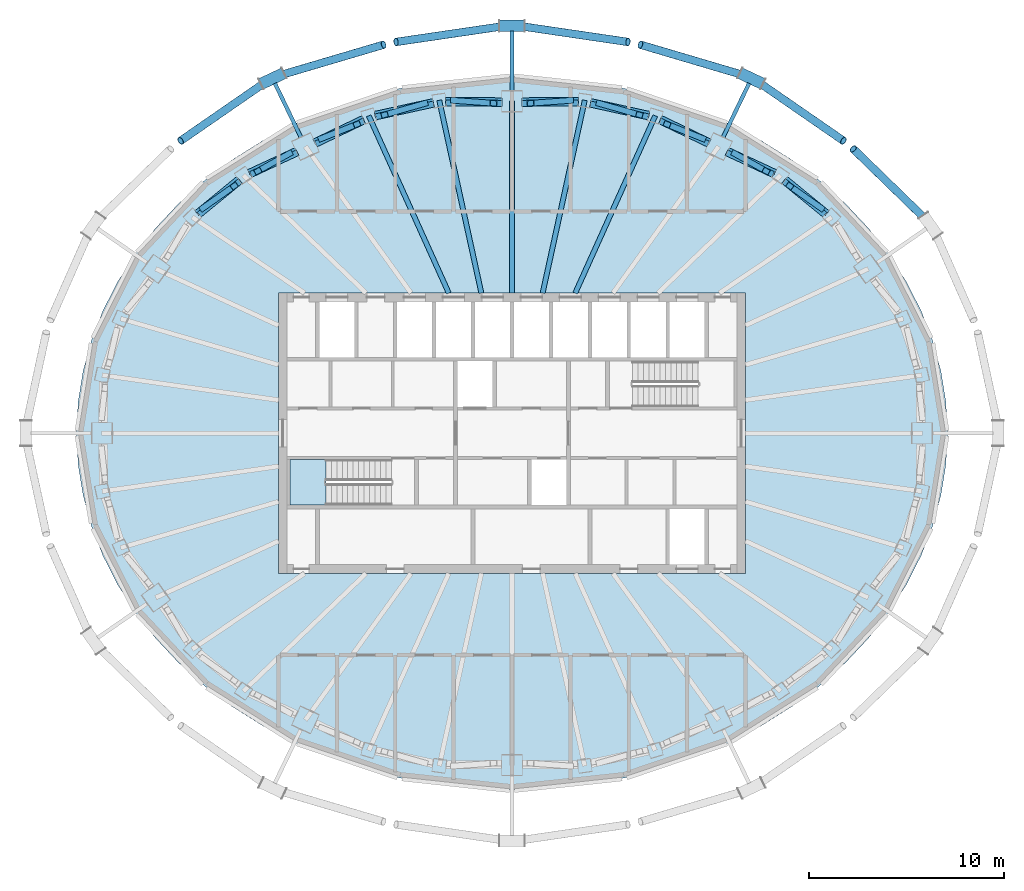
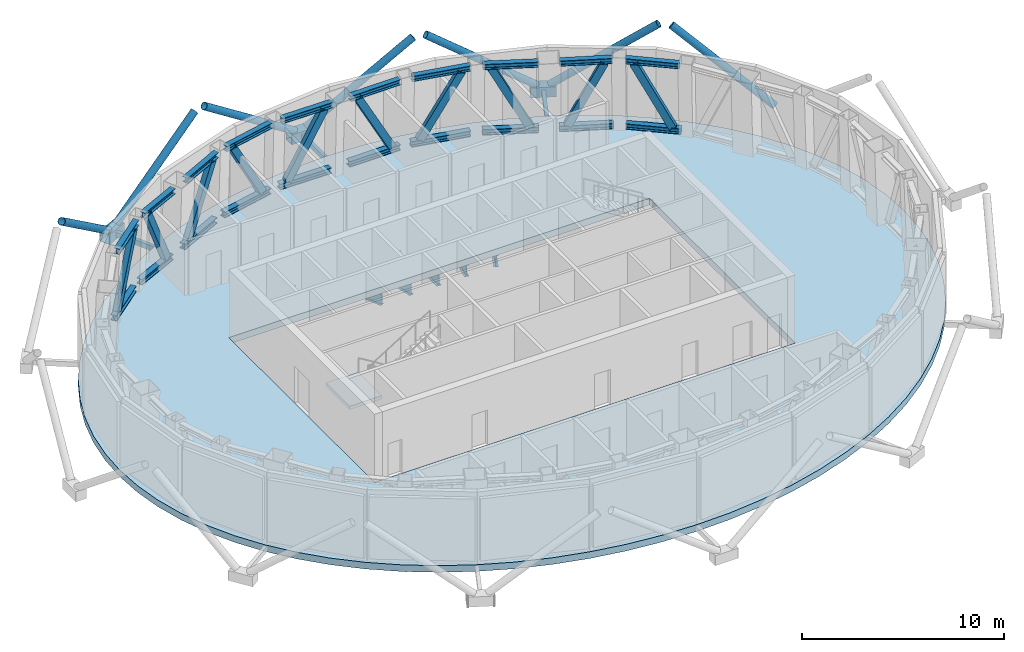
# One storey, part 4 of 15: 25 beams, 23 members, 2 slabs, 1 element without a shape of its own.
"""IFC4 building model written with IfcOpenShell, lengths in metres."""

from ifc_helpers import new_model, si_unit, direction, frame, origin, origin_2d, place, context, subcontext, project, spatial, polyline, hollow_rectangle, hollow_circle, i_section, outline, extrude, material, layer, layer_set, material_profile, profile_set, type_object, element, aggregate, save


model = new_model("IFC4")

# Units and contexts
model_context = context("Model", 3, precision=1e-05, world=origin(), true_north=direction((0.0, 1.0)))
body_context = subcontext(model_context, "Body", "Model", "MODEL_VIEW")
ifc_project = project(units=[si_unit("LENGTHUNIT", "METRE"), si_unit("AREAUNIT", "SQUARE_METRE"), si_unit("VOLUMEUNIT", "CUBIC_METRE"), si_unit("PLANEANGLEUNIT", "RADIAN"), si_unit("MASSUNIT", "GRAM", prefix="KILO")], contexts=[model_context])

# Site, building, storey
site_placement = place(None, origin())
site = spatial("IfcSite", under=ifc_project, at=site_placement, CompositionType="ELEMENT")
building_placement = place(site_placement, origin())
building = spatial("IfcBuilding", under=site, at=building_placement, Name="Siaravel Broadcast Tower", CompositionType="ELEMENT")
storey_placement = place(building_placement, frame((0.0, 0.0, 212.60009765625)))
storey = spatial("IfcBuildingStorey", under=building, at=storey_placement, Name="L51", CompositionType="ELEMENT", Elevation=212.60009765625)

# Beams
ifc_material_1 = material(Name="Steel S355", Category="steel")
ifc_material_profile_1 = material_profile(ifc_material_1, i_section(OverallWidth=0.2529296875, OverallDepth=0.677978515625, WebThickness=0.01171875, FlangeThickness=0.01611328125, FilletRadius=0.01513671875, at=origin_2d()))
ifc_profile_set_1 = profile_set([ifc_material_profile_1], Name="Steel S355")
beam_type_1 = type_object("IfcBeamType", Name="BM-UB 686x254x125", PredefinedType="BEAM", material=ifc_profile_set_1)
beam_1_placement = place(storey_placement, frame((7.35888671875, 16.30859375, -0.739013671875), z_axis=(-0.411298026, -0.911500924, 0.0), x_axis=(0.911500924, -0.411298026, 0.0)))
element("IfcBeam", 1, at=beam_1_placement, inside=storey, type_object=beam_type_1, Name="Radial beam RB08", PredefinedType="BEAM", context=body_context, shape_type="SweptSolid", body=[
    extrude(i_section(OverallWidth=0.2529296875, OverallDepth=0.677978515625, WebThickness=0.01171875, FlangeThickness=0.01611328125, FilletRadius=0.01513671875, at=origin_2d()), origin(), (0.0, 0.0, 1.0), 9.992919921875),
])
beam_2_placement = place(storey_placement, frame((3.73779296875, 17.103515625, -0.739013671875), z_axis=(-0.213499359, -0.976943204, 0.0), x_axis=(0.976943204, -0.213499359, 0.0)))
element("IfcBeam", 2, at=beam_2_placement, inside=storey, type_object=beam_type_1, Name="Radial beam RB09", PredefinedType="BEAM", context=body_context, shape_type="SweptSolid", body=[
    extrude(i_section(OverallWidth=0.2529296875, OverallDepth=0.677978515625, WebThickness=0.01171875, FlangeThickness=0.01611328125, FilletRadius=0.01513671875, at=origin_2d()), origin(), (0.0, 0.0, 1.0), 10.13720703125),
])
beam_3_placement = place(storey_placement, frame((0.0, 17.0712890625, -0.739013671875), z_axis=(0.0, -1.0, 0.0), x_axis=(1.0, 0.0, 0.0)))
element("IfcBeam", 3, at=beam_3_placement, inside=storey, type_object=beam_type_1, Name="Radial beam RB10", PredefinedType="BEAM", context=body_context, shape_type="SweptSolid", body=[
    extrude(i_section(OverallWidth=0.2529296875, OverallDepth=0.677978515625, WebThickness=0.01171875, FlangeThickness=0.01611328125, FilletRadius=0.01513671875, at=origin_2d()), origin(), (0.0, 0.0, 1.0), 9.871337890625),
])
beam_4_placement = place(storey_placement, frame((-3.73779296875, 17.103515625, -0.739013671875), z_axis=(0.213499359, -0.976943204, 0.0), x_axis=(0.976943204, 0.213499359, 0.0)))
element("IfcBeam", 4, at=beam_4_placement, inside=storey, type_object=beam_type_1, Name="Radial beam RB11", PredefinedType="BEAM", context=body_context, shape_type="SweptSolid", body=[
    extrude(i_section(OverallWidth=0.2529296875, OverallDepth=0.677978515625, WebThickness=0.01171875, FlangeThickness=0.01611328125, FilletRadius=0.01513671875, at=origin_2d()), origin(), (0.0, 0.0, 1.0), 10.13720703125),
])
beam_5_placement = place(storey_placement, frame((-7.35888671875, 16.30859375, -0.739013671875), z_axis=(0.411298026, -0.911500924, 0.0), x_axis=(0.911500924, 0.411298026, 0.0)))
element("IfcBeam", 5, at=beam_5_placement, inside=storey, type_object=beam_type_1, Name="Radial beam RB12", PredefinedType="BEAM", context=body_context, shape_type="SweptSolid", body=[
    extrude(i_section(OverallWidth=0.2529296875, OverallDepth=0.677978515625, WebThickness=0.01171875, FlangeThickness=0.01611328125, FilletRadius=0.01513671875, at=origin_2d()), origin(), (0.0, 0.0, 1.0), 9.992919921875),
])
ifc_material_2 = material(Name="Steel S460", Category="steel")
ifc_material_profile_2 = material_profile(ifc_material_2, i_section(OverallWidth=0.311279296875, OverallDepth=0.3271484375, WebThickness=0.015869140625, FlangeThickness=0.02490234375, FilletRadius=0.01513671875, at=origin_2d()))
ifc_profile_set_2 = profile_set([ifc_material_profile_2], Name="Steel S460")
beam_type_2 = type_object("IfcBeamType", Name="Belt truss chord UC 305x305x158", PredefinedType="BEAM", material=ifc_profile_set_2)
beam_6_placement = place(storey_placement, frame((16.1875, 11.310546875, 0.163330078125), z_axis=(-0.773621896, 0.633647506, 0.0), x_axis=(-0.633647506, -0.773621896, 0.0)))
element("IfcBeam", 6, at=beam_6_placement, inside=storey, type_object=beam_type_2, Name="Belt truss 3 bottom chord 05", PredefinedType="BEAM", context=body_context, shape_type="SweptSolid", body=[
    extrude(i_section(OverallWidth=0.311279296875, OverallDepth=0.3271484375, WebThickness=0.015869140625, FlangeThickness=0.02490234375, FilletRadius=0.01513671875, at=origin_2d()), origin(), (0.0, 0.0, 1.0), 2.757568359375),
])
beam_7_placement = place(storey_placement, frame((16.068115234375, 11.228515625, 4.1865234375), z_axis=(-0.773590966, 0.633685267, 0.0), x_axis=(-0.633685267, -0.773590966, 0.0)))
element("IfcBeam", 7, at=beam_7_placement, inside=storey, type_object=beam_type_2, Name="Belt truss 3 top chord 05", PredefinedType="BEAM", context=body_context, shape_type="SweptSolid", body=[
    extrude(i_section(OverallWidth=0.311279296875, OverallDepth=0.3271484375, WebThickness=0.015869140625, FlangeThickness=0.02490234375, FilletRadius=0.01513671875, at=origin_2d()), origin(), (0.0, 0.0, 1.0), 2.732666015625),
])
beam_8_placement = place(storey_placement, frame((13.516357421875, 13.395751953125, 0.163330078125), z_axis=(-0.906695926, 0.421784896, 0.0), x_axis=(-0.421784896, -0.906695926, 0.0)))
element("IfcBeam", 8, at=beam_8_placement, inside=storey, type_object=beam_type_2, Name="Belt truss 3 bottom chord 06", PredefinedType="BEAM", context=body_context, shape_type="SweptSolid", body=[
    extrude(i_section(OverallWidth=0.311279296875, OverallDepth=0.3271484375, WebThickness=0.015869140625, FlangeThickness=0.02490234375, FilletRadius=0.01513671875, at=origin_2d()), origin(), (0.0, 0.0, 1.0), 2.67236328125),
])
beam_9_placement = place(storey_placement, frame((13.416259765625, 13.297607421875, 4.1865234375), z_axis=(-0.906966188, 0.421203435, 0.0), x_axis=(-0.421203435, -0.906966188, 0.0)))
element("IfcBeam", 9, at=beam_9_placement, inside=storey, type_object=beam_type_2, Name="Belt truss 3 top chord 06", PredefinedType="BEAM", context=body_context, shape_type="SweptSolid", body=[
    extrude(i_section(OverallWidth=0.311279296875, OverallDepth=0.3271484375, WebThickness=0.015869140625, FlangeThickness=0.02490234375, FilletRadius=0.01513671875, at=origin_2d()), origin(), (0.0, 0.0, 1.0), 2.647216796875),
])
beam_10_placement = place(storey_placement, frame((10.15283203125, 14.96728515625, 0.163330078125), z_axis=(-0.901497012, 0.432785324, 0.0), x_axis=(-0.432785324, -0.901497012, 0.0)))
element("IfcBeam", 10, at=beam_10_placement, inside=storey, type_object=beam_type_2, Name="Belt truss 3 bottom chord 07", PredefinedType="BEAM", context=body_context, shape_type="SweptSolid", body=[
    extrude(i_section(OverallWidth=0.311279296875, OverallDepth=0.3271484375, WebThickness=0.015869140625, FlangeThickness=0.02490234375, FilletRadius=0.01513671875, at=origin_2d()), origin(), (0.0, 0.0, 1.0), 2.779296875),
])
beam_11_placement = place(storey_placement, frame((10.0751953125, 14.857177734375, 4.1865234375), z_axis=(-0.901254422, 0.433290279, 0.0), x_axis=(-0.433290279, -0.901254422, 0.0)))
element("IfcBeam", 11, at=beam_11_placement, inside=storey, type_object=beam_type_2, Name="Belt truss 3 top chord 07", PredefinedType="BEAM", context=body_context, shape_type="SweptSolid", body=[
    extrude(i_section(OverallWidth=0.311279296875, OverallDepth=0.3271484375, WebThickness=0.015869140625, FlangeThickness=0.02490234375, FilletRadius=0.01513671875, at=origin_2d()), origin(), (0.0, 0.0, 1.0), 2.753173828125),
])
beam_12_placement = place(storey_placement, frame((7.046142578125, 16.377197265625, 0.163330078125), z_axis=(-0.976734584, 0.21445175, 0.0), x_axis=(-0.21445175, -0.976734584, 0.0)))
element("IfcBeam", 12, at=beam_12_placement, inside=storey, type_object=beam_type_2, Name="Belt truss 3 bottom chord 08", PredefinedType="BEAM", context=body_context, shape_type="SweptSolid", body=[
    extrude(i_section(OverallWidth=0.311279296875, OverallDepth=0.3271484375, WebThickness=0.015869140625, FlangeThickness=0.02490234375, FilletRadius=0.01513671875, at=origin_2d()), origin(), (0.0, 0.0, 1.0), 3.06689453125),
])
beam_13_placement = place(storey_placement, frame((6.992919921875, 16.25732421875, 4.1865234375), z_axis=(-0.976743113, 0.214412901, 0.0), x_axis=(-0.214412901, -0.976743113, 0.0)))
element("IfcBeam", 13, at=beam_13_placement, inside=storey, type_object=beam_type_2, Name="Belt truss 3 top chord 08", PredefinedType="BEAM", context=body_context, shape_type="SweptSolid", body=[
    extrude(i_section(OverallWidth=0.311279296875, OverallDepth=0.3271484375, WebThickness=0.015869140625, FlangeThickness=0.02490234375, FilletRadius=0.01513671875, at=origin_2d()), origin(), (0.0, 0.0, 1.0), 3.040283203125),
])
beam_14_placement = place(storey_placement, frame((3.41796875, 17.1005859375, 0.163330078125), z_axis=(-0.999963081, -0.008592775, 0.0), x_axis=(0.008592775, -0.999963081, 0.0)))
element("IfcBeam", 14, at=beam_14_placement, inside=storey, type_object=beam_type_2, Name="Belt truss 3 bottom chord 09", PredefinedType="BEAM", context=body_context, shape_type="SweptSolid", body=[
    extrude(i_section(OverallWidth=0.311279296875, OverallDepth=0.3271484375, WebThickness=0.015869140625, FlangeThickness=0.02490234375, FilletRadius=0.01513671875, at=origin_2d()), origin(), (0.0, 0.0, 1.0), 2.89794921875),
])
beam_15_placement = place(storey_placement, frame((3.390869140625, 16.974853515625, 4.1865234375), z_axis=(-0.999957826, -0.009184067, 0.0), x_axis=(0.009184067, -0.999957826, 0.0)))
element("IfcBeam", 15, at=beam_15_placement, inside=storey, type_object=beam_type_2, Name="Belt truss 3 top chord 09", PredefinedType="BEAM", context=body_context, shape_type="SweptSolid", body=[
    extrude(i_section(OverallWidth=0.311279296875, OverallDepth=0.3271484375, WebThickness=0.015869140625, FlangeThickness=0.02490234375, FilletRadius=0.01513671875, at=origin_2d()), origin(), (0.0, 0.0, 1.0), 2.870849609375),
])
beam_16_placement = place(storey_placement, frame((-0.52001953125, 17.07568359375, 0.163330078125), z_axis=(-0.999963081, 0.008592775, 0.0), x_axis=(-0.008592775, -0.999963081, 0.0)))
element("IfcBeam", 16, at=beam_16_placement, inside=storey, type_object=beam_type_2, Name="Belt truss 3 bottom chord 10", PredefinedType="BEAM", context=body_context, shape_type="SweptSolid", body=[
    extrude(i_section(OverallWidth=0.311279296875, OverallDepth=0.3271484375, WebThickness=0.015869140625, FlangeThickness=0.02490234375, FilletRadius=0.01513671875, at=origin_2d()), origin(), (0.0, 0.0, 1.0), 2.89794921875),
])
beam_17_placement = place(storey_placement, frame((-0.52001953125, 16.948486328125, 4.1865234375), z_axis=(-0.999957826, 0.009184067, 0.0), x_axis=(-0.009184067, -0.999957826, 0.0)))
element("IfcBeam", 17, at=beam_17_placement, inside=storey, type_object=beam_type_2, Name="Belt truss 3 top chord 10", PredefinedType="BEAM", context=body_context, shape_type="SweptSolid", body=[
    extrude(i_section(OverallWidth=0.311279296875, OverallDepth=0.3271484375, WebThickness=0.015869140625, FlangeThickness=0.02490234375, FilletRadius=0.01513671875, at=origin_2d()), origin(), (0.0, 0.0, 1.0), 2.870849609375),
])
beam_18_placement = place(storey_placement, frame((-4.050537109375, 17.034912109375, 0.163330078125), z_axis=(-0.976734584, -0.21445175, 0.0), x_axis=(0.21445175, -0.976734584, 0.0)))
element("IfcBeam", 18, at=beam_18_placement, inside=storey, type_object=beam_type_2, Name="Belt truss 3 bottom chord 11", PredefinedType="BEAM", context=body_context, shape_type="SweptSolid", body=[
    extrude(i_section(OverallWidth=0.311279296875, OverallDepth=0.3271484375, WebThickness=0.015869140625, FlangeThickness=0.02490234375, FilletRadius=0.01513671875, at=origin_2d()), origin(), (0.0, 0.0, 1.0), 3.06689453125),
])
beam_19_placement = place(storey_placement, frame((-4.0234375, 16.9091796875, 4.1865234375), z_axis=(-0.976743113, -0.214412901, 0.0), x_axis=(0.214412901, -0.976743113, 0.0)))
element("IfcBeam", 19, at=beam_19_placement, inside=storey, type_object=beam_type_2, Name="Belt truss 3 top chord 11", PredefinedType="BEAM", context=body_context, shape_type="SweptSolid", body=[
    extrude(i_section(OverallWidth=0.311279296875, OverallDepth=0.3271484375, WebThickness=0.015869140625, FlangeThickness=0.02490234375, FilletRadius=0.01513671875, at=origin_2d()), origin(), (0.0, 0.0, 1.0), 3.040283203125),
])
beam_20_placement = place(storey_placement, frame((-7.647216796875, 16.170166015625, 0.163330078125), z_axis=(-0.901497012, -0.432785324, 0.0), x_axis=(0.432785324, -0.901497012, 0.0)))
element("IfcBeam", 20, at=beam_20_placement, inside=storey, type_object=beam_type_2, Name="Belt truss 3 bottom chord 12", PredefinedType="BEAM", context=body_context, shape_type="SweptSolid", body=[
    extrude(i_section(OverallWidth=0.311279296875, OverallDepth=0.3271484375, WebThickness=0.015869140625, FlangeThickness=0.02490234375, FilletRadius=0.01513671875, at=origin_2d()), origin(), (0.0, 0.0, 1.0), 2.779296875),
])
beam_21_placement = place(storey_placement, frame((-7.593994140625, 16.050048828125, 4.1865234375), z_axis=(-0.901254422, -0.433290279, 0.0), x_axis=(0.433290279, -0.901254422, 0.0)))
element("IfcBeam", 21, at=beam_21_placement, inside=storey, type_object=beam_type_2, Name="Belt truss 3 top chord 12", PredefinedType="BEAM", context=body_context, shape_type="SweptSolid", body=[
    extrude(i_section(OverallWidth=0.311279296875, OverallDepth=0.3271484375, WebThickness=0.015869140625, FlangeThickness=0.02490234375, FilletRadius=0.01513671875, at=origin_2d()), origin(), (0.0, 0.0, 1.0), 2.753173828125),
])
beam_22_placement = place(storey_placement, frame((-11.09326171875, 14.52294921875, 0.163330078125), z_axis=(-0.906695926, -0.421784896, 0.0), x_axis=(0.421784896, -0.906695926, 0.0)))
element("IfcBeam", 22, at=beam_22_placement, inside=storey, type_object=beam_type_2, Name="Belt truss 3 bottom chord 13", PredefinedType="BEAM", context=body_context, shape_type="SweptSolid", body=[
    extrude(i_section(OverallWidth=0.311279296875, OverallDepth=0.3271484375, WebThickness=0.015869140625, FlangeThickness=0.02490234375, FilletRadius=0.01513671875, at=origin_2d()), origin(), (0.0, 0.0, 1.0), 2.67236328125),
])
beam_23_placement = place(storey_placement, frame((-11.015380859375, 14.41259765625, 4.1865234375), z_axis=(-0.906966188, -0.421203435, 0.0), x_axis=(0.421203435, -0.906966188, 0.0)))
element("IfcBeam", 23, at=beam_23_placement, inside=storey, type_object=beam_type_2, Name="Belt truss 3 top chord 13", PredefinedType="BEAM", context=body_context, shape_type="SweptSolid", body=[
    extrude(i_section(OverallWidth=0.311279296875, OverallDepth=0.3271484375, WebThickness=0.015869140625, FlangeThickness=0.02490234375, FilletRadius=0.01513671875, at=origin_2d()), origin(), (0.0, 0.0, 1.0), 2.647216796875),
])
beam_24_placement = place(storey_placement, frame((-14.05419921875, 13.057861328125, 0.163330078125), z_axis=(-0.773621896, -0.633647506, 0.0), x_axis=(0.633647506, -0.773621896, 0.0)))
element("IfcBeam", 24, at=beam_24_placement, inside=storey, type_object=beam_type_2, Name="Belt truss 3 bottom chord 14", PredefinedType="BEAM", context=body_context, shape_type="SweptSolid", body=[
    extrude(i_section(OverallWidth=0.311279296875, OverallDepth=0.3271484375, WebThickness=0.015869140625, FlangeThickness=0.02490234375, FilletRadius=0.01513671875, at=origin_2d()), origin(), (0.0, 0.0, 1.0), 2.757568359375),
])
beam_25_placement = place(storey_placement, frame((-13.9541015625, 12.960205078125, 4.1865234375), z_axis=(-0.773590966, -0.633685267, 0.0), x_axis=(0.633685267, -0.773590966, 0.0)))
element("IfcBeam", 25, at=beam_25_placement, inside=storey, type_object=beam_type_2, Name="Belt truss 3 top chord 14", PredefinedType="BEAM", context=body_context, shape_type="SweptSolid", body=[
    extrude(i_section(OverallWidth=0.311279296875, OverallDepth=0.3271484375, WebThickness=0.015869140625, FlangeThickness=0.02490234375, FilletRadius=0.01513671875, at=origin_2d()), origin(), (0.0, 0.0, 1.0), 2.732666015625),
])

# Members
ifc_material_profile_3 = material_profile(ifc_material_2, hollow_rectangle(XDim=0.300048828125, YDim=0.39990234375, WallThickness=0.01611328125, at=origin_2d()))
ifc_profile_set_3 = profile_set([ifc_material_profile_3], Name="Steel S460")
member_type_1 = type_object("IfcMemberType", Name="Belt truss web RHS 400x300x16", PredefinedType="BRACE", material=ifc_profile_set_3)
member_1_placement = place(storey_placement, frame((15.867431640625, 11.57275390625, 0.297119140625), z_axis=(-0.377070618, 0.266354058, 0.887058772), x_axis=(-0.576952888, -0.816777427, 0.0)))
element("IfcMember", 26, at=member_1_placement, inside=storey, type_object=member_type_1, Name="Belt truss 3 web 05", PredefinedType="BRACE", context=body_context, shape_type="SweptSolid", body=[
    extrude(hollow_rectangle(XDim=0.300048828125, YDim=0.39990234375, WallThickness=0.01611328125, at=origin_2d()), origin(), (0.0, 0.0, 1.0), 4.23388671875),
])
member_2_placement = place(storey_placement, frame((11.456787109375, 14.35400390625, 0.297119140625), z_axis=(0.382838197, -0.212778793, 0.898977252), x_axis=(0.485801523, 0.874069151, 0.0)))
element("IfcMember", 27, at=member_2_placement, inside=storey, type_object=member_type_1, Name="Belt truss 3 web 06", PredefinedType="BRACE", context=body_context, shape_type="SweptSolid", body=[
    extrude(hollow_rectangle(XDim=0.300048828125, YDim=0.39990234375, WallThickness=0.01611328125, at=origin_2d()), origin(), (0.0, 0.0, 1.0), 4.177734375),
])
member_3_placement = place(storey_placement, frame((9.777099609375, 15.147705078125, 0.297119140625), z_axis=(-0.427915595, 0.170947001, 0.887505136), x_axis=(-0.370980488, -0.928640661, 0.0)))
element("IfcMember", 28, at=member_3_placement, inside=storey, type_object=member_type_1, Name="Belt truss 3 web 07", PredefinedType="BRACE", context=body_context, shape_type="SweptSolid", body=[
    extrude(hollow_rectangle(XDim=0.300048828125, YDim=0.39990234375, WallThickness=0.01611328125, at=origin_2d()), origin(), (0.0, 0.0, 1.0), 4.231689453125),
])
member_4_placement = place(storey_placement, frame((4.499755859375, 16.936279296875, 0.297119140625), z_axis=(0.474375788, -0.134598757, 0.869971716), x_axis=(0.272963523, 0.962024384, 0.0)))
element("IfcMember", 29, at=member_4_placement, inside=storey, type_object=member_type_1, Name="Belt truss 3 web 08", PredefinedType="BRACE", context=body_context, shape_type="SweptSolid", body=[
    extrude(hollow_rectangle(XDim=0.300048828125, YDim=0.39990234375, WallThickness=0.01611328125, at=origin_2d()), origin(), (0.0, 0.0, 1.0), 4.31689453125),
])
for number, where, z_axis, x_axis, name in (
    (30, (2.983154296875, 17.096923828125, 0.297119140625), (-0.475681065, -0.033826209, 0.878967185), (0.070931993, -0.997481154, 0.0), "Belt truss 3 web 09"),
    (31, (-2.983154296875, 17.096923828125, 0.297119140625), (0.475681065, -0.033826209, 0.878967185), (0.070931993, 0.997481154, 0.0), "Belt truss 3 web 10"),
):
    element("IfcMember", number, at=place(storey_placement, frame(where, z_axis=z_axis, x_axis=x_axis)), inside=storey, type_object=member_type_1, Name=name, PredefinedType="BRACE", context=body_context, shape_type="SweptSolid", body=[
        extrude(hollow_rectangle(XDim=0.300048828125, YDim=0.39990234375, WallThickness=0.01611328125, at=origin_2d()), origin(), (0.0, 0.0, 1.0), 4.272705078125),
    ])
member_5_placement = place(storey_placement, frame((-4.499755859375, 16.936279296875, 0.297119140625), z_axis=(-0.474375788, -0.134598757, 0.869971716), x_axis=(0.272963523, -0.962024384, 0.0)))
element("IfcMember", 32, at=member_5_placement, inside=storey, type_object=member_type_1, Name="Belt truss 3 web 11", PredefinedType="BRACE", context=body_context, shape_type="SweptSolid", body=[
    extrude(hollow_rectangle(XDim=0.300048828125, YDim=0.39990234375, WallThickness=0.01611328125, at=origin_2d()), origin(), (0.0, 0.0, 1.0), 4.31689453125),
])
member_6_placement = place(storey_placement, frame((-9.777099609375, 15.147705078125, 0.297119140625), z_axis=(0.427915595, 0.170947001, 0.887505136), x_axis=(-0.370980488, 0.928640661, 0.0)))
element("IfcMember", 33, at=member_6_placement, inside=storey, type_object=member_type_1, Name="Belt truss 3 web 12", PredefinedType="BRACE", context=body_context, shape_type="SweptSolid", body=[
    extrude(hollow_rectangle(XDim=0.300048828125, YDim=0.39990234375, WallThickness=0.01611328125, at=origin_2d()), origin(), (0.0, 0.0, 1.0), 4.231689453125),
])
member_7_placement = place(storey_placement, frame((-11.456787109375, 14.35400390625, 0.297119140625), z_axis=(-0.382838197, -0.212778793, 0.898977252), x_axis=(0.485801523, -0.874069151, 0.0)))
element("IfcMember", 34, at=member_7_placement, inside=storey, type_object=member_type_1, Name="Belt truss 3 web 13", PredefinedType="BRACE", context=body_context, shape_type="SweptSolid", body=[
    extrude(hollow_rectangle(XDim=0.300048828125, YDim=0.39990234375, WallThickness=0.01611328125, at=origin_2d()), origin(), (0.0, 0.0, 1.0), 4.177734375),
])
member_8_placement = place(storey_placement, frame((-15.867431640625, 11.57275390625, 0.297119140625), z_axis=(0.377070618, 0.266354058, 0.887058772), x_axis=(-0.576952888, 0.816777427, 0.0)))
element("IfcMember", 35, at=member_8_placement, inside=storey, type_object=member_type_1, Name="Belt truss 3 web 14", PredefinedType="BRACE", context=body_context, shape_type="SweptSolid", body=[
    extrude(hollow_rectangle(XDim=0.300048828125, YDim=0.39990234375, WallThickness=0.01611328125, at=origin_2d()), origin(), (0.0, 0.0, 1.0), 4.23388671875),
])
ifc_material_profile_4 = material_profile(ifc_material_2, hollow_circle(Radius=0.203125, WallThickness=0.01611328125, at=origin_2d()))
ifc_profile_set_4 = profile_set([ifc_material_profile_4], Name="Steel S460")
member_type_2 = type_object("IfcMemberType", Name="Diagrid diagonal CHS 406.4x16", PredefinedType="BRACE", material=ifc_profile_set_4)
member_9_placement = place(storey_placement, frame((21.31689453125, 10.926513671875, 0.06982421875), z_axis=(-0.573641114, 0.557889463, 0.599745963), x_axis=(-0.697195839, -0.716880717, 0.0)))
element("IfcMember", 36, at=member_9_placement, inside=storey, type_object=member_type_2, Name="Diagrid diagonal R21 station 06A", PredefinedType="BRACE", context=body_context, shape_type="SweptSolid", body=[
    extrude(hollow_circle(Radius=0.203125, WallThickness=0.01611328125, at=origin_2d()), origin(), (0.0, 0.0, 1.0), 6.602783203125),
])
member_10_placement = place(storey_placement, frame((12.592041015625, 18.085205078125, 0.06982421875), z_axis=(0.663164598, -0.458117447, 0.591896208), x_axis=(0.568373921, 0.822770373, 0.0)))
element("IfcMember", 37, at=member_10_placement, inside=storey, type_object=member_type_2, Name="Diagrid diagonal R21 station 12C", PredefinedType="BRACE", context=body_context, shape_type="SweptSolid", body=[
    extrude(hollow_circle(Radius=0.203125, WallThickness=0.01611328125, at=origin_2d()), origin(), (0.0, 0.0, 1.0), 6.690185546875),
])
member_11_placement = place(storey_placement, frame((12.007080078125, 18.36181640625, 0.06982421875), z_axis=(-0.785034847, 0.231919578, 0.574398467), x_axis=(-0.283320821, -0.959025189, 0.0)))
element("IfcMember", 38, at=member_11_placement, inside=storey, type_object=member_type_2, Name="Diagrid diagonal R21 station 12A", PredefinedType="BRACE", context=body_context, shape_type="SweptSolid", body=[
    extrude(hollow_circle(Radius=0.203125, WallThickness=0.01611328125, at=origin_2d()), origin(), (0.0, 0.0, 1.0), 6.89404296875),
])
for number, where, z_axis, x_axis, name in (
    (39, (0.323486328125, 20.9287109375, 0.06982421875), (0.812523548, -0.119491861, 0.570549892), (0.14549769, 0.989358591, 0.0), "Diagrid diagonal R21 station 18C"),
    (40, (-0.323486328125, 20.9287109375, 0.06982421875), (-0.812523548, -0.119491861, 0.570549892), (0.14549769, -0.989358591, 0.0), "Diagrid diagonal R21 station 18A"),
):
    element("IfcMember", number, at=place(storey_placement, frame(where, z_axis=z_axis, x_axis=x_axis)), inside=storey, type_object=member_type_2, Name=name, PredefinedType="BRACE", context=body_context, shape_type="SweptSolid", body=[
        extrude(hollow_circle(Radius=0.203125, WallThickness=0.01611328125, at=origin_2d()), origin(), (0.0, 0.0, 1.0), 6.940673828125),
    ])
member_12_placement = place(storey_placement, frame((-12.007080078125, 18.36181640625, 0.06982421875), z_axis=(0.785034847, 0.231919578, 0.574398467), x_axis=(-0.283320821, 0.959025189, 0.0)))
element("IfcMember", 41, at=member_12_placement, inside=storey, type_object=member_type_2, Name="Diagrid diagonal R21 station 24C", PredefinedType="BRACE", context=body_context, shape_type="SweptSolid", body=[
    extrude(hollow_circle(Radius=0.203125, WallThickness=0.01611328125, at=origin_2d()), origin(), (0.0, 0.0, 1.0), 6.89404296875),
])
member_13_placement = place(storey_placement, frame((-12.592041015625, 18.085205078125, 0.06982421875), z_axis=(-0.663164598, -0.458117447, 0.591896208), x_axis=(0.568373921, -0.822770373, 0.0)))
element("IfcMember", 42, at=member_13_placement, inside=storey, type_object=member_type_2, Name="Diagrid diagonal R21 station 24A", PredefinedType="BRACE", context=body_context, shape_type="SweptSolid", body=[
    extrude(hollow_circle(Radius=0.203125, WallThickness=0.01611328125, at=origin_2d()), origin(), (0.0, 0.0, 1.0), 6.690185546875),
])
ifc_material_profile_5 = material_profile(ifc_material_2, hollow_rectangle(XDim=0.60009765625, YDim=0.60009765625, WallThickness=0.031982421875, at=origin_2d()))
ifc_profile_set_5 = profile_set([ifc_material_profile_5], Name="Steel S460")
member_type_3 = type_object("IfcMemberType", Name="Diagrid node BOX 600x600x32", PredefinedType="USERDEFINED", material=ifc_profile_set_5)
for number, where, z_axis, x_axis, name in (
    (43, (12.88427734375, 17.947021484375, -0.2001953125), (-0.903991359, 0.427550726, 0.0), (-0.427550726, -0.903991359, 0.0), "Diagrid node R21 station 12"),
    (44, (0.646728515625, 20.9287109375, -0.2001953125), (-1.0, 0.0, 0.0), (0.0, -1.0, 0.0), "Diagrid node R21 station 18"),
    (45, (-11.715087890625, 18.5, -0.2001953125), (-0.903991359, -0.427550726, 0.0), (0.427550726, -0.903991359, 0.0), "Diagrid node R21 station 24"),
):
    element("IfcMember", number, at=place(storey_placement, frame(where, z_axis=z_axis, x_axis=x_axis)), inside=storey, type_object=member_type_3, Name=name, ObjectType="DIAGRID NODE", PredefinedType="USERDEFINED", context=body_context, shape_type="SweptSolid", body=[
        extrude(hollow_rectangle(XDim=0.60009765625, YDim=0.60009765625, WallThickness=0.031982421875, at=origin_2d()), origin(), (0.0, 0.0, 1.0), 1.29345703125),
    ])
ifc_material_profile_6 = material_profile(ifc_material_2, hollow_rectangle(XDim=0.199951171875, YDim=0.300048828125, WallThickness=0.012451171875, at=origin_2d()))
ifc_profile_set_6 = profile_set([ifc_material_profile_6], Name="Steel S460")
member_type_4 = type_object("IfcMemberType", Name="Diagrid node arm RHS 300x200x12.5", PredefinedType="STRUT", material=ifc_profile_set_6)
member_14_placement = place(storey_placement, frame((10.847412109375, 15.210693359375, -0.2001953125), z_axis=(0.434207139, 0.900813055, 0.0), x_axis=(-0.900813055, 0.434207139, 0.0)))
element("IfcMember", 46, at=member_14_placement, inside=storey, type_object=member_type_4, Name="Node arm R21 station 12", PredefinedType="STRUT", context=body_context, shape_type="SweptSolid", body=[
    extrude(hollow_rectangle(XDim=0.199951171875, YDim=0.300048828125, WallThickness=0.012451171875, at=origin_2d()), origin(), (0.0, 0.0, 1.0), 3.074462890625),
])
member_15_placement = place(storey_placement, frame((0.0, 17.59130859375, -0.2001953125), z_axis=(0.0, 1.0, 0.0), x_axis=(-1.0, 0.0, 0.0)))
element("IfcMember", 47, at=member_15_placement, inside=storey, type_object=member_type_4, Name="Node arm R21 station 18", PredefinedType="STRUT", context=body_context, shape_type="SweptSolid", body=[
    extrude(hollow_rectangle(XDim=0.199951171875, YDim=0.300048828125, WallThickness=0.012451171875, at=origin_2d()), origin(), (0.0, 0.0, 1.0), 3.0673828125),
])
member_16_placement = place(storey_placement, frame((-10.847412109375, 15.210693359375, -0.2001953125), z_axis=(-0.434207139, 0.900813055, 0.0), x_axis=(-0.900813055, -0.434207139, 0.0)))
element("IfcMember", 48, at=member_16_placement, inside=storey, type_object=member_type_4, Name="Node arm R21 station 24", PredefinedType="STRUT", context=body_context, shape_type="SweptSolid", body=[
    extrude(hollow_rectangle(XDim=0.199951171875, YDim=0.300048828125, WallThickness=0.012451171875, at=origin_2d()), origin(), (0.0, 0.0, 1.0), 3.074462890625),
])

# Slab
ifc_material_3 = material(Name="Concrete C40/50", Category="concrete")
ifc_layer_1 = layer(ifc_material_3, 0.39990234375)
ifc_layer_set_1 = layer_set([ifc_layer_1], Name="Concrete C40/50")
slab_type_1 = type_object("IfcSlabType", Name="SLB-FLOOR-400", PredefinedType="FLOOR", material=ifc_layer_set_1)
slab_1_placement = place(storey_placement, frame((0.0, 0.0, -0.400146484375)))
element("IfcSlab", 49, at=slab_1_placement, inside=storey, type_object=slab_type_1, Name="Floor slab", PredefinedType="FLOOR", context=body_context, shape_type="SweptSolid", body=[
    extrude(outline(polyline([(22.376220703125, 0.0), (22.291015625, 1.597412109375), (22.0361328125, 3.1826171875), (21.61376953125, 4.743896484375), (21.026611328125, 6.268798828125), (20.279541015625, 7.74609375), (19.37841796875, 9.164306640625), (18.329345703125, 10.512939453125), (17.14111328125, 11.781494140625), (15.822265625, 12.960205078125), (14.383056640625, 14.04052734375), (12.83447265625, 15.013916015625), (11.18798828125, 15.873046875), (9.45654296875, 16.611328125), (7.653076171875, 17.223388671875), (5.79150390625, 17.7041015625), (3.885498046875, 18.050048828125), (1.9501953125, 18.2587890625), (0.0, 18.32861328125), (-1.9501953125, 18.2587890625), (-3.885498046875, 18.050048828125), (-5.79150390625, 17.7041015625), (-7.653076171875, 17.223388671875), (-9.45654296875, 16.611328125), (-11.18798828125, 15.873046875), (-12.83447265625, 15.013916015625), (-14.383056640625, 14.04052734375), (-15.822265625, 12.960205078125), (-17.14111328125, 11.781494140625), (-18.329345703125, 10.512939453125), (-19.37841796875, 9.164306640625), (-20.279541015625, 7.74609375), (-21.026611328125, 6.268798828125), (-21.61376953125, 4.743896484375), (-22.0361328125, 3.1826171875), (-22.291015625, 1.597412109375), (-22.376220703125, 0.0), (-22.291015625, -1.597412109375), (-22.0361328125, -3.1826171875), (-21.61376953125, -4.743896484375), (-21.026611328125, -6.268798828125), (-20.279541015625, -7.74609375), (-19.37841796875, -9.164306640625), (-18.329345703125, -10.512939453125), (-17.14111328125, -11.781494140625), (-15.822265625, -12.960205078125), (-14.383056640625, -14.04052734375), (-12.83447265625, -15.013916015625), (-11.18798828125, -15.873046875), (-9.45654296875, -16.611328125), (-7.653076171875, -17.223388671875), (-5.79150390625, -17.7041015625), (-3.885498046875, -18.050048828125), (-1.9501953125, -18.2587890625), (0.0, -18.32861328125), (1.9501953125, -18.2587890625), (3.885498046875, -18.050048828125), (5.79150390625, -17.7041015625), (7.653076171875, -17.223388671875), (9.45654296875, -16.611328125), (11.18798828125, -15.873046875), (12.83447265625, -15.013916015625), (14.383056640625, -14.04052734375), (15.822265625, -12.960205078125), (17.14111328125, -11.781494140625), (18.329345703125, -10.512939453125), (19.37841796875, -9.164306640625), (20.279541015625, -7.74609375), (21.026611328125, -6.268798828125), (21.61376953125, -4.743896484375), (22.0361328125, -3.1826171875), (22.291015625, -1.597412109375), (22.376220703125, 0.0)]), holes=[polyline([(-12.0, 7.199951171875), (12.0, 7.199951171875), (12.0, -7.199951171875), (-12.0, -7.199951171875), (-12.0, 7.199951171875)])]), origin(), (0.0, 0.0, 1.0), 0.400146484375),
])

# Stair, slab
stair_type = type_object("IfcStairType", Name="Core exit stair", PredefinedType="HALF_TURN_STAIR", material=ifc_material_3)
stair_placement = place(storey_placement, origin())
stair = element("IfcStair", 50, at=stair_placement, inside=storey, type_object=stair_type, Name="L51 Exit stair ST-1", PredefinedType="HALF_TURN_STAIR")
ifc_layer_2 = layer(ifc_material_3, 0.199951171875)
ifc_layer_set_2 = layer_set([ifc_layer_2], Name="Concrete C40/50")
slab_type_2 = type_object("IfcSlabType", Name="Stair landing", PredefinedType="LANDING", material=ifc_layer_set_2)
slab_2_placement = place(storey_placement, frame((0.0, 0.0, 2.0498046875)))
slab_2 = element("IfcSlab", 51, at=slab_2_placement, type_object=slab_type_2, Name="ST-1 landing 1", PredefinedType="LANDING", context=body_context, shape_type="SweptSolid", body=[
    extrude(outline(polyline([(-9.56005859375, -1.35009765625), (-11.39990234375, -1.35009765625), (-11.39990234375, -3.699951171875), (-9.56005859375, -3.699951171875), (-9.56005859375, -1.35009765625)])), origin(), (0.0, 0.0, 1.0), 0.2001953125),
])
aggregate(stair, [slab_2])

save(model, "model.ifc")
